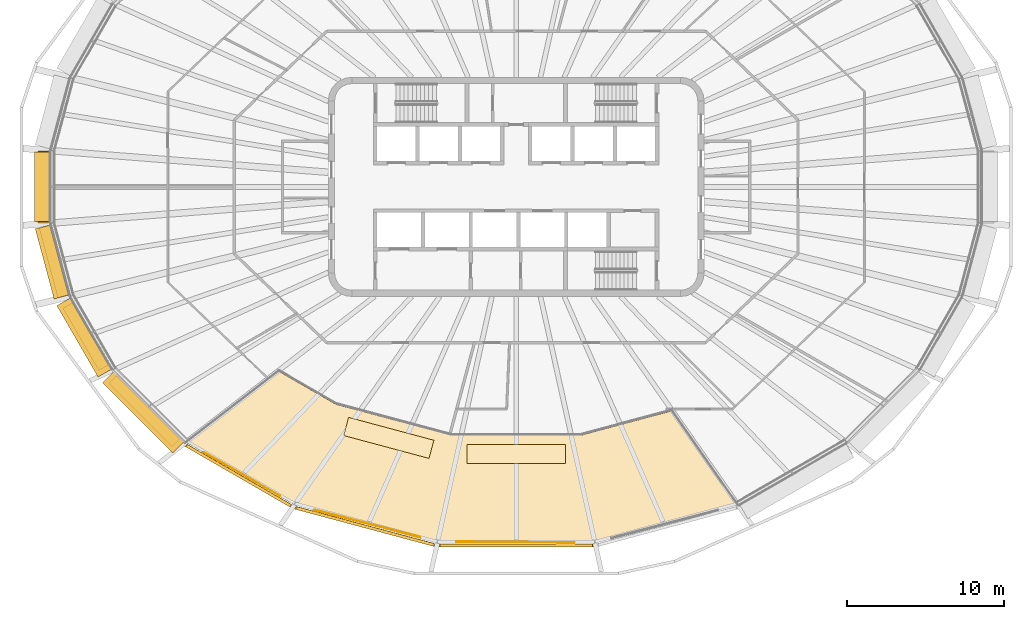
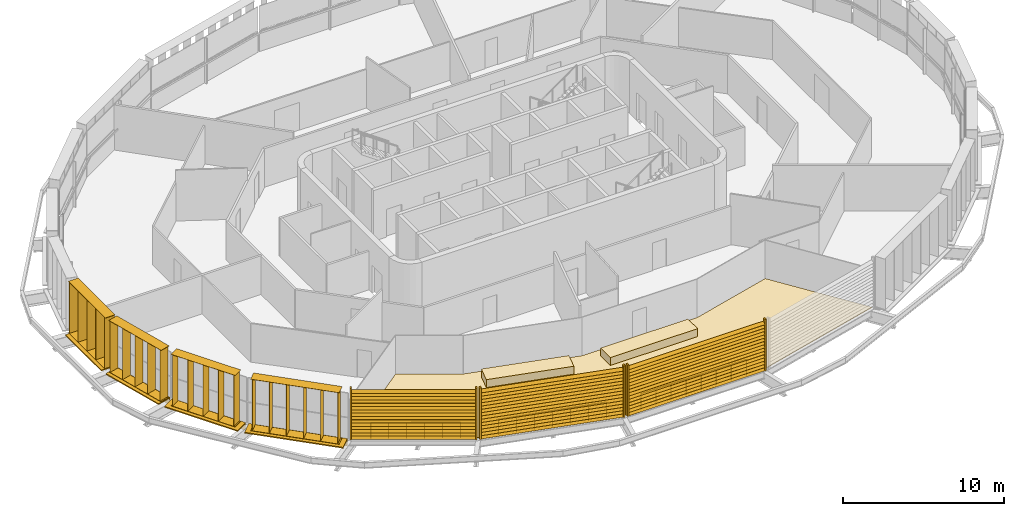
# One storey, part 16 of 20: 11 shading devices, 3 coverings, 3 railings.
"""IFC4 building model written with IfcOpenShell, lengths in metres."""

from ifc_helpers import new_model, si_unit, direction, frame, origin, origin_2d, place, context, subcontext, project, spatial, polyline, rectangle, circle, outline, extrude, material, layer, layer_set, type_object, element, save


model = new_model("IFC4")

# Units and contexts
model_context = context("Model", 3, precision=1e-05, world=origin(), true_north=direction((0.0, 1.0)))
body_context = subcontext(model_context, "Body", "Model", "MODEL_VIEW")
ifc_project = project(units=[si_unit("LENGTHUNIT", "METRE"), si_unit("AREAUNIT", "SQUARE_METRE"), si_unit("VOLUMEUNIT", "CUBIC_METRE"), si_unit("PLANEANGLEUNIT", "RADIAN"), si_unit("MASSUNIT", "GRAM", prefix="KILO")], contexts=[model_context])

# Site, building, storey
site_placement = place(None, origin())
site = spatial("IfcSite", under=ifc_project, at=site_placement, CompositionType="ELEMENT")
building_placement = place(site_placement, origin())
building = spatial("IfcBuilding", under=site, at=building_placement, Name="Sahrelin Media Tower", CompositionType="ELEMENT")
storey_placement = place(building_placement, frame((0.0, 0.0, 271.0)))
storey = spatial("IfcBuildingStorey", under=building, at=storey_placement, Name="L59", CompositionType="ELEMENT", Elevation=271.0)

# Shading devices
ifc_material_1 = material(Name="Champagne anodised aluminium 6063-T6", Category="aluminium")
shading_device_type_1 = type_object("IfcShadingDeviceType", Name="Fin cassette", PredefinedType="USERDEFINED", material=ifc_material_1)
placement_1 = place(storey_placement, frame((-29.7578125, 0.0, 0.0), z_axis=(0.0, 0.0, 1.0), x_axis=(0.0, 1.0, 0.0)))
element("IfcShadingDevice", 1, at=placement_1, inside=storey, type_object=shading_device_type_1, Name="L59:FIN:L59-12", ObjectType="FIN", PredefinedType="USERDEFINED", context=body_context, shape_type="SweptSolid", body=[
    extrude(rectangle(XDim=4.60009765625, YDim=0.699951171875, at=origin_2d()), frame((0.0, 0.419921875, 0.0)), (0.0, 0.0, 1.0), 0.02001953125),
    extrude(rectangle(XDim=4.60009765625, YDim=0.699951171875, at=origin_2d()), frame((0.0, 0.419921875, 3.89990234375)), (0.0, 0.0, 1.0), 0.02001953125),
    extrude(rectangle(XDim=0.02001953125, YDim=0.699951171875, at=origin_2d()), frame((-2.199951171875, 0.419921875, 0.010009765625), z_axis=(0.0, 0.0, 1.0), x_axis=(1.0, 0.0, 0.0)), (0.0, 0.0, 1.0), 3.89990234375),
    extrude(rectangle(XDim=0.02001953125, YDim=0.699951171875, at=origin_2d()), frame((-1.10009765625, 0.419921875, 0.010009765625), z_axis=(0.0, 0.0, 1.0), x_axis=(1.0, 0.0, 0.0)), (0.0, 0.0, 1.0), 3.89990234375),
    extrude(rectangle(XDim=0.02001953125, YDim=0.699951171875, at=origin_2d()), frame((0.0, 0.419921875, 0.010009765625), z_axis=(0.0, 0.0, 1.0), x_axis=(1.0, 0.0, 0.0)), (0.0, 0.0, 1.0), 3.89990234375),
    extrude(rectangle(XDim=0.02001953125, YDim=0.699951171875, at=origin_2d()), frame((1.10009765625, 0.419921875, 0.010009765625), z_axis=(0.0, 0.0, 1.0), x_axis=(1.0, 0.0, 0.0)), (0.0, 0.0, 1.0), 3.89990234375),
    extrude(rectangle(XDim=0.02001953125, YDim=0.699951171875, at=origin_2d()), frame((2.199951171875, 0.419921875, 0.010009765625), z_axis=(0.0, 0.0, 1.0), x_axis=(1.0, 0.0, 0.0)), (0.0, 0.0, 1.0), 3.89990234375),
])
placement_2 = place(storey_placement, frame((-29.1318359375, -4.65478515625, 0.0), z_axis=(0.0, 0.0, 1.0), x_axis=(-0.258807731996, 0.965928857556, 0.0)))
element("IfcShadingDevice", 2, at=placement_2, inside=storey, type_object=shading_device_type_1, Name="L59:FIN:L59-13", ObjectType="FIN", PredefinedType="USERDEFINED", context=body_context, shape_type="SweptSolid", body=[
    extrude(rectangle(XDim=4.60009765625, YDim=0.699951171875, at=origin_2d()), frame((0.0, 0.419921875, 0.0)), (0.0, 0.0, 1.0), 0.02001953125),
    extrude(rectangle(XDim=4.60009765625, YDim=0.699951171875, at=origin_2d()), frame((0.0, 0.419921875, 3.89990234375)), (0.0, 0.0, 1.0), 0.02001953125),
    extrude(rectangle(XDim=0.02001953125, YDim=0.699951171875, at=origin_2d()), frame((-2.199951171875, 0.419921875, 0.010009765625), z_axis=(0.0, 0.0, 1.0), x_axis=(1.0, 0.0, 0.0)), (0.0, 0.0, 1.0), 3.89990234375),
    extrude(rectangle(XDim=0.02001953125, YDim=0.699951171875, at=origin_2d()), frame((-1.10009765625, 0.419921875, 0.010009765625), z_axis=(0.0, 0.0, 1.0), x_axis=(1.0, 0.0, 0.0)), (0.0, 0.0, 1.0), 3.89990234375),
    extrude(rectangle(XDim=0.02001953125, YDim=0.699951171875, at=origin_2d()), frame((0.0, 0.419921875, 0.010009765625), z_axis=(0.0, 0.0, 1.0), x_axis=(1.0, 0.0, 0.0)), (0.0, 0.0, 1.0), 3.89990234375),
    extrude(rectangle(XDim=0.02001953125, YDim=0.699951171875, at=origin_2d()), frame((1.10009765625, 0.419921875, 0.010009765625), z_axis=(0.0, 0.0, 1.0), x_axis=(1.0, 0.0, 0.0)), (0.0, 0.0, 1.0), 3.89990234375),
    extrude(rectangle(XDim=0.02001953125, YDim=0.699951171875, at=origin_2d()), frame((2.199951171875, 0.419921875, 0.010009765625), z_axis=(0.0, 0.0, 1.0), x_axis=(1.0, 0.0, 0.0)), (0.0, 0.0, 1.0), 3.89990234375),
])
placement_3 = place(storey_placement, frame((-27.140869140625, -9.355224609375, 0.0), z_axis=(0.0, 0.0, 1.0), x_axis=(-0.500011000363, 0.866019052629, 0.0)))
element("IfcShadingDevice", 3, at=placement_3, inside=storey, type_object=shading_device_type_1, Name="L59:FIN:L59-14", ObjectType="FIN", PredefinedType="USERDEFINED", context=body_context, shape_type="SweptSolid", body=[
    extrude(rectangle(XDim=4.60009765625, YDim=0.699951171875, at=origin_2d()), frame((0.0, 0.419921875, 0.0)), (0.0, 0.0, 1.0), 0.02001953125),
    extrude(rectangle(XDim=4.60009765625, YDim=0.699951171875, at=origin_2d()), frame((0.0, 0.419921875, 3.89990234375)), (0.0, 0.0, 1.0), 0.02001953125),
    extrude(rectangle(XDim=0.02001953125, YDim=0.699951171875, at=origin_2d()), frame((-2.199951171875, 0.419921875, 0.010009765625), z_axis=(0.0, 0.0, 1.0), x_axis=(1.0, 0.0, 0.0)), (0.0, 0.0, 1.0), 3.89990234375),
    extrude(rectangle(XDim=0.02001953125, YDim=0.699951171875, at=origin_2d()), frame((-1.10009765625, 0.419921875, 0.010009765625), z_axis=(0.0, 0.0, 1.0), x_axis=(1.0, 0.0, 0.0)), (0.0, 0.0, 1.0), 3.89990234375),
    extrude(rectangle(XDim=0.02001953125, YDim=0.699951171875, at=origin_2d()), frame((0.0, 0.419921875, 0.010009765625), z_axis=(0.0, 0.0, 1.0), x_axis=(1.0, 0.0, 0.0)), (0.0, 0.0, 1.0), 3.89990234375),
    extrude(rectangle(XDim=0.02001953125, YDim=0.699951171875, at=origin_2d()), frame((1.10009765625, 0.419921875, 0.010009765625), z_axis=(0.0, 0.0, 1.0), x_axis=(1.0, 0.0, 0.0)), (0.0, 0.0, 1.0), 3.89990234375),
    extrude(rectangle(XDim=0.02001953125, YDim=0.699951171875, at=origin_2d()), frame((2.199951171875, 0.419921875, 0.010009765625), z_axis=(0.0, 0.0, 1.0), x_axis=(1.0, 0.0, 0.0)), (0.0, 0.0, 1.0), 3.89990234375),
])
placement_4 = place(storey_placement, frame((-23.461181640625, -14.0341796875, 0.0), z_axis=(0.0, 0.0, 1.0), x_axis=(-0.707106781187, 0.707106781187, 0.0)))
element("IfcShadingDevice", 4, at=placement_4, inside=storey, type_object=shading_device_type_1, Name="L59:FIN:L59-15", ObjectType="FIN", PredefinedType="USERDEFINED", context=body_context, shape_type="SweptSolid", body=[
    extrude(rectangle(XDim=5.699951171875, YDim=0.699951171875, at=origin_2d()), frame((0.0, 0.419921875, 0.0)), (0.0, 0.0, 1.0), 0.02001953125),
    extrude(rectangle(XDim=5.699951171875, YDim=0.699951171875, at=origin_2d()), frame((0.0, 0.419921875, 3.89990234375)), (0.0, 0.0, 1.0), 0.02001953125),
    extrude(rectangle(XDim=0.02001953125, YDim=0.699951171875, at=origin_2d()), frame((-2.75, 0.419921875, 0.010009765625), z_axis=(0.0, 0.0, 1.0), x_axis=(1.0, 0.0, 0.0)), (0.0, 0.0, 1.0), 3.89990234375),
    extrude(rectangle(XDim=0.02001953125, YDim=0.699951171875, at=origin_2d()), frame((-1.64990234375, 0.419921875, 0.010009765625), z_axis=(0.0, 0.0, 1.0), x_axis=(1.0, 0.0, 0.0)), (0.0, 0.0, 1.0), 3.89990234375),
    extrude(rectangle(XDim=0.02001953125, YDim=0.699951171875, at=origin_2d()), frame((-0.550048828125, 0.419921875, 0.010009765625), z_axis=(0.0, 0.0, 1.0), x_axis=(1.0, 0.0, 0.0)), (0.0, 0.0, 1.0), 3.89990234375),
    extrude(rectangle(XDim=0.02001953125, YDim=0.699951171875, at=origin_2d()), frame((0.550048828125, 0.419921875, 0.010009765625), z_axis=(0.0, 0.0, 1.0), x_axis=(1.0, 0.0, 0.0)), (0.0, 0.0, 1.0), 3.89990234375),
    extrude(rectangle(XDim=0.02001953125, YDim=0.699951171875, at=origin_2d()), frame((1.64990234375, 0.419921875, 0.010009765625), z_axis=(0.0, 0.0, 1.0), x_axis=(1.0, 0.0, 0.0)), (0.0, 0.0, 1.0), 3.89990234375),
    extrude(rectangle(XDim=0.02001953125, YDim=0.699951171875, at=origin_2d()), frame((2.75, 0.419921875, 0.010009765625), z_axis=(0.0, 0.0, 1.0), x_axis=(1.0, 0.0, 0.0)), (0.0, 0.0, 1.0), 3.89990234375),
])

# Covering
ifc_material_2 = material(Name="Stone paving", Category="masonry")
ifc_layer = layer(ifc_material_2, 0.0400390625)
ifc_layer_set = layer_set([ifc_layer], Name="Garden paving")
covering_type_1 = type_object("IfcCoveringType", Name="Garden paving", PredefinedType="FLOORING", material=ifc_layer_set)
covering_1_placement = place(storey_placement, origin())
element("IfcCovering", 5, at=covering_1_placement, inside=storey, type_object=covering_type_1, Name="Garden paving G5", PredefinedType="FLOORING", context=body_context, shape_type="SweptSolid", body=[
    extrude(outline(polyline([(-5.04443359375, -22.76171875), (-14.17822265625, -20.314208984375), (-21.056884765625, -16.343017578125), (-15.1572265625, -11.78173828125), (-11.514892578125, -13.884521484375), (-4.135986328125, -15.86181640625), (4.135986328125, -15.86181640625), (9.9189453125, -14.31201171875), (14.11572265625, -20.330810546875), (5.04443359375, -22.76171875), (-5.04443359375, -22.76171875)])), origin(), (0.0, 0.0, 1.0), 0.0400390625),
])

# Shading devices
shading_device_type_2 = type_object("IfcShadingDeviceType", Name="Garden screen", PredefinedType="USERDEFINED", material=ifc_material_1)
shading_device_5_placement = place(storey_placement, frame((-17.672119140625, -18.35498046875, 0.0), z_axis=(0.0, 0.0, 1.0), x_axis=(-0.866019052629, 0.500011000363, 0.0)))
element("IfcShadingDevice", 6, at=shading_device_5_placement, inside=storey, type_object=shading_device_type_2, Name="L59:SCREEN:L59-16", ObjectType="SCREEN", PredefinedType="USERDEFINED", context=body_context, shape_type="SweptSolid", body=[
    extrude(rectangle(XDim=0.1201171875, YDim=0.199951171875, at=origin_2d()), frame((3.90185546875, 0.10009765625, 0.050048828125), z_axis=(0.0, 0.0, 1.0), x_axis=(1.0, 0.0, 0.0)), (0.0, 0.0, 1.0), 3.89990234375),
    extrude(rectangle(XDim=0.1201171875, YDim=0.199951171875, at=origin_2d()), frame((-3.90185546875, 0.10009765625, 0.050048828125), z_axis=(0.0, 0.0, 1.0), x_axis=(1.0, 0.0, 0.0)), (0.0, 0.0, 1.0), 3.89990234375),
    extrude(rectangle(XDim=0.25, YDim=0.02001953125, at=origin_2d()), frame((3.841796875, 0.10009765625, 0.14990234375), z_axis=(-1.0, 0.0, 0.0), x_axis=(0.0, -0.766044443119, 0.642787609687)), (0.0, 0.0, 1.0), 7.68359375),
    extrude(rectangle(XDim=0.25, YDim=0.02001953125, at=origin_2d()), frame((3.841796875, 0.10009765625, 0.39990234375), z_axis=(-1.0, 0.0, 0.0), x_axis=(0.0, -0.766044443119, 0.642787609687)), (0.0, 0.0, 1.0), 7.68359375),
    extrude(rectangle(XDim=0.25, YDim=0.02001953125, at=origin_2d()), frame((3.841796875, 0.10009765625, 0.64990234375), z_axis=(-1.0, 0.0, 0.0), x_axis=(0.0, -0.766044443119, 0.642787609687)), (0.0, 0.0, 1.0), 7.68359375),
    extrude(rectangle(XDim=0.25, YDim=0.02001953125, at=origin_2d()), frame((3.841796875, 0.10009765625, 0.89990234375), z_axis=(-1.0, 0.0, 0.0), x_axis=(0.0, -0.766044443119, 0.642787609687)), (0.0, 0.0, 1.0), 7.68359375),
    extrude(rectangle(XDim=0.25, YDim=0.02001953125, at=origin_2d()), frame((3.841796875, 0.10009765625, 1.14990234375), z_axis=(-1.0, 0.0, 0.0), x_axis=(0.0, -0.766044443119, 0.642787609687)), (0.0, 0.0, 1.0), 7.68359375),
    extrude(rectangle(XDim=0.25, YDim=0.02001953125, at=origin_2d()), frame((3.841796875, 0.10009765625, 1.39990234375), z_axis=(-1.0, 0.0, 0.0), x_axis=(0.0, -0.766044443119, 0.642787609687)), (0.0, 0.0, 1.0), 7.68359375),
    extrude(rectangle(XDim=0.25, YDim=0.02001953125, at=origin_2d()), frame((3.841796875, 0.10009765625, 1.64990234375), z_axis=(-1.0, 0.0, 0.0), x_axis=(0.0, -0.766044443119, 0.642787609687)), (0.0, 0.0, 1.0), 7.68359375),
    extrude(rectangle(XDim=0.25, YDim=0.02001953125, at=origin_2d()), frame((3.841796875, 0.10009765625, 1.89990234375), z_axis=(-1.0, 0.0, 0.0), x_axis=(0.0, -0.766044443119, 0.642787609687)), (0.0, 0.0, 1.0), 7.68359375),
    extrude(rectangle(XDim=0.25, YDim=0.02001953125, at=origin_2d()), frame((3.841796875, 0.10009765625, 2.14990234375), z_axis=(-1.0, 0.0, 0.0), x_axis=(0.0, -0.766044443119, 0.642787609687)), (0.0, 0.0, 1.0), 7.68359375),
    extrude(rectangle(XDim=0.25, YDim=0.02001953125, at=origin_2d()), frame((3.841796875, 0.10009765625, 2.39990234375), z_axis=(-1.0, 0.0, 0.0), x_axis=(0.0, -0.766044443119, 0.642787609687)), (0.0, 0.0, 1.0), 7.68359375),
    extrude(rectangle(XDim=0.25, YDim=0.02001953125, at=origin_2d()), frame((3.841796875, 0.10009765625, 2.64990234375), z_axis=(-1.0, 0.0, 0.0), x_axis=(0.0, -0.766044443119, 0.642787609687)), (0.0, 0.0, 1.0), 7.68359375),
    extrude(rectangle(XDim=0.25, YDim=0.02001953125, at=origin_2d()), frame((3.841796875, 0.10009765625, 2.89990234375), z_axis=(-1.0, 0.0, 0.0), x_axis=(0.0, -0.766044443119, 0.642787609687)), (0.0, 0.0, 1.0), 7.68359375),
    extrude(rectangle(XDim=0.25, YDim=0.02001953125, at=origin_2d()), frame((3.841796875, 0.10009765625, 3.14990234375), z_axis=(-1.0, 0.0, 0.0), x_axis=(0.0, -0.766044443119, 0.642787609687)), (0.0, 0.0, 1.0), 7.68359375),
    extrude(rectangle(XDim=0.25, YDim=0.02001953125, at=origin_2d()), frame((3.841796875, 0.10009765625, 3.39990234375), z_axis=(-1.0, 0.0, 0.0), x_axis=(0.0, -0.766044443119, 0.642787609687)), (0.0, 0.0, 1.0), 7.68359375),
    extrude(rectangle(XDim=0.25, YDim=0.02001953125, at=origin_2d()), frame((3.841796875, 0.10009765625, 3.64990234375), z_axis=(-1.0, 0.0, 0.0), x_axis=(0.0, -0.766044443119, 0.642787609687)), (0.0, 0.0, 1.0), 7.68359375),
])
shading_device_6_placement = place(storey_placement, frame((-9.624267578125, -21.586181640625, 0.0), z_axis=(0.0, 0.0, 1.0), x_axis=(-0.965928857556, 0.258807731996, 0.0)))
element("IfcShadingDevice", 7, at=shading_device_6_placement, inside=storey, type_object=shading_device_type_2, Name="L59:SCREEN:L59-17", ObjectType="SCREEN", PredefinedType="USERDEFINED", context=body_context, shape_type="SweptSolid", body=[
    extrude(rectangle(XDim=0.1201171875, YDim=0.199951171875, at=origin_2d()), frame((4.62451171875, 0.10009765625, 0.050048828125), z_axis=(0.0, 0.0, 1.0), x_axis=(1.0, 0.0, 0.0)), (0.0, 0.0, 1.0), 3.89990234375),
    extrude(rectangle(XDim=0.1201171875, YDim=0.199951171875, at=origin_2d()), frame((-4.62451171875, 0.10009765625, 0.050048828125), z_axis=(0.0, 0.0, 1.0), x_axis=(1.0, 0.0, 0.0)), (0.0, 0.0, 1.0), 3.89990234375),
    extrude(rectangle(XDim=0.25, YDim=0.02001953125, at=origin_2d()), frame((4.564697265625, 0.10009765625, 0.14990234375), z_axis=(-1.0, 0.0, 0.0), x_axis=(0.0, -0.766044443119, 0.642787609687)), (0.0, 0.0, 1.0), 9.12939453125),
    extrude(rectangle(XDim=0.25, YDim=0.02001953125, at=origin_2d()), frame((4.564697265625, 0.10009765625, 0.39990234375), z_axis=(-1.0, 0.0, 0.0), x_axis=(0.0, -0.766044443119, 0.642787609687)), (0.0, 0.0, 1.0), 9.12939453125),
    extrude(rectangle(XDim=0.25, YDim=0.02001953125, at=origin_2d()), frame((4.564697265625, 0.10009765625, 0.64990234375), z_axis=(-1.0, 0.0, 0.0), x_axis=(0.0, -0.766044443119, 0.642787609687)), (0.0, 0.0, 1.0), 9.12939453125),
    extrude(rectangle(XDim=0.25, YDim=0.02001953125, at=origin_2d()), frame((4.564697265625, 0.10009765625, 0.89990234375), z_axis=(-1.0, 0.0, 0.0), x_axis=(0.0, -0.766044443119, 0.642787609687)), (0.0, 0.0, 1.0), 9.12939453125),
    extrude(rectangle(XDim=0.25, YDim=0.02001953125, at=origin_2d()), frame((4.564697265625, 0.10009765625, 1.14990234375), z_axis=(-1.0, 0.0, 0.0), x_axis=(0.0, -0.766044443119, 0.642787609687)), (0.0, 0.0, 1.0), 9.12939453125),
    extrude(rectangle(XDim=0.25, YDim=0.02001953125, at=origin_2d()), frame((4.564697265625, 0.10009765625, 1.39990234375), z_axis=(-1.0, 0.0, 0.0), x_axis=(0.0, -0.766044443119, 0.642787609687)), (0.0, 0.0, 1.0), 9.12939453125),
    extrude(rectangle(XDim=0.25, YDim=0.02001953125, at=origin_2d()), frame((4.564697265625, 0.10009765625, 1.64990234375), z_axis=(-1.0, 0.0, 0.0), x_axis=(0.0, -0.766044443119, 0.642787609687)), (0.0, 0.0, 1.0), 9.12939453125),
    extrude(rectangle(XDim=0.25, YDim=0.02001953125, at=origin_2d()), frame((4.564697265625, 0.10009765625, 1.89990234375), z_axis=(-1.0, 0.0, 0.0), x_axis=(0.0, -0.766044443119, 0.642787609687)), (0.0, 0.0, 1.0), 9.12939453125),
    extrude(rectangle(XDim=0.25, YDim=0.02001953125, at=origin_2d()), frame((4.564697265625, 0.10009765625, 2.14990234375), z_axis=(-1.0, 0.0, 0.0), x_axis=(0.0, -0.766044443119, 0.642787609687)), (0.0, 0.0, 1.0), 9.12939453125),
    extrude(rectangle(XDim=0.25, YDim=0.02001953125, at=origin_2d()), frame((4.564697265625, 0.10009765625, 2.39990234375), z_axis=(-1.0, 0.0, 0.0), x_axis=(0.0, -0.766044443119, 0.642787609687)), (0.0, 0.0, 1.0), 9.12939453125),
    extrude(rectangle(XDim=0.25, YDim=0.02001953125, at=origin_2d()), frame((4.564697265625, 0.10009765625, 2.64990234375), z_axis=(-1.0, 0.0, 0.0), x_axis=(0.0, -0.766044443119, 0.642787609687)), (0.0, 0.0, 1.0), 9.12939453125),
    extrude(rectangle(XDim=0.25, YDim=0.02001953125, at=origin_2d()), frame((4.564697265625, 0.10009765625, 2.89990234375), z_axis=(-1.0, 0.0, 0.0), x_axis=(0.0, -0.766044443119, 0.642787609687)), (0.0, 0.0, 1.0), 9.12939453125),
    extrude(rectangle(XDim=0.25, YDim=0.02001953125, at=origin_2d()), frame((4.564697265625, 0.10009765625, 3.14990234375), z_axis=(-1.0, 0.0, 0.0), x_axis=(0.0, -0.766044443119, 0.642787609687)), (0.0, 0.0, 1.0), 9.12939453125),
    extrude(rectangle(XDim=0.25, YDim=0.02001953125, at=origin_2d()), frame((4.564697265625, 0.10009765625, 3.39990234375), z_axis=(-1.0, 0.0, 0.0), x_axis=(0.0, -0.766044443119, 0.642787609687)), (0.0, 0.0, 1.0), 9.12939453125),
    extrude(rectangle(XDim=0.25, YDim=0.02001953125, at=origin_2d()), frame((4.564697265625, 0.10009765625, 3.64990234375), z_axis=(-1.0, 0.0, 0.0), x_axis=(0.0, -0.766044443119, 0.642787609687)), (0.0, 0.0, 1.0), 9.12939453125),
])
shading_device_7_placement = place(storey_placement, frame((0.0, -22.811767578125, 0.0), z_axis=(0.0, 0.0, 1.0), x_axis=(-1.0, 0.0, 0.0)))
element("IfcShadingDevice", 8, at=shading_device_7_placement, inside=storey, type_object=shading_device_type_2, Name="L59:SCREEN:L59-18", ObjectType="SCREEN", PredefinedType="USERDEFINED", context=body_context, shape_type="SweptSolid", body=[
    extrude(rectangle(XDim=0.1201171875, YDim=0.199951171875, at=origin_2d()), frame((4.94091796875, 0.10009765625, 0.050048828125), z_axis=(0.0, 0.0, 1.0), x_axis=(1.0, 0.0, 0.0)), (0.0, 0.0, 1.0), 3.89990234375),
    extrude(rectangle(XDim=0.1201171875, YDim=0.199951171875, at=origin_2d()), frame((-4.94091796875, 0.10009765625, 0.050048828125), z_axis=(0.0, 0.0, 1.0), x_axis=(1.0, 0.0, 0.0)), (0.0, 0.0, 1.0), 3.89990234375),
    extrude(rectangle(XDim=0.25, YDim=0.02001953125, at=origin_2d()), frame((4.881103515625, 0.10009765625, 0.14990234375), z_axis=(-1.0, 0.0, 0.0), x_axis=(0.0, -0.766044443119, 0.642787609687)), (0.0, 0.0, 1.0), 9.76220703125),
    extrude(rectangle(XDim=0.25, YDim=0.02001953125, at=origin_2d()), frame((4.881103515625, 0.10009765625, 0.39990234375), z_axis=(-1.0, 0.0, 0.0), x_axis=(0.0, -0.766044443119, 0.642787609687)), (0.0, 0.0, 1.0), 9.76220703125),
    extrude(rectangle(XDim=0.25, YDim=0.02001953125, at=origin_2d()), frame((4.881103515625, 0.10009765625, 0.64990234375), z_axis=(-1.0, 0.0, 0.0), x_axis=(0.0, -0.766044443119, 0.642787609687)), (0.0, 0.0, 1.0), 9.76220703125),
    extrude(rectangle(XDim=0.25, YDim=0.02001953125, at=origin_2d()), frame((4.881103515625, 0.10009765625, 0.89990234375), z_axis=(-1.0, 0.0, 0.0), x_axis=(0.0, -0.766044443119, 0.642787609687)), (0.0, 0.0, 1.0), 9.76220703125),
    extrude(rectangle(XDim=0.25, YDim=0.02001953125, at=origin_2d()), frame((4.881103515625, 0.10009765625, 1.14990234375), z_axis=(-1.0, 0.0, 0.0), x_axis=(0.0, -0.766044443119, 0.642787609687)), (0.0, 0.0, 1.0), 9.76220703125),
    extrude(rectangle(XDim=0.25, YDim=0.02001953125, at=origin_2d()), frame((4.881103515625, 0.10009765625, 1.39990234375), z_axis=(-1.0, 0.0, 0.0), x_axis=(0.0, -0.766044443119, 0.642787609687)), (0.0, 0.0, 1.0), 9.76220703125),
    extrude(rectangle(XDim=0.25, YDim=0.02001953125, at=origin_2d()), frame((4.881103515625, 0.10009765625, 1.64990234375), z_axis=(-1.0, 0.0, 0.0), x_axis=(0.0, -0.766044443119, 0.642787609687)), (0.0, 0.0, 1.0), 9.76220703125),
    extrude(rectangle(XDim=0.25, YDim=0.02001953125, at=origin_2d()), frame((4.881103515625, 0.10009765625, 1.89990234375), z_axis=(-1.0, 0.0, 0.0), x_axis=(0.0, -0.766044443119, 0.642787609687)), (0.0, 0.0, 1.0), 9.76220703125),
    extrude(rectangle(XDim=0.25, YDim=0.02001953125, at=origin_2d()), frame((4.881103515625, 0.10009765625, 2.14990234375), z_axis=(-1.0, 0.0, 0.0), x_axis=(0.0, -0.766044443119, 0.642787609687)), (0.0, 0.0, 1.0), 9.76220703125),
    extrude(rectangle(XDim=0.25, YDim=0.02001953125, at=origin_2d()), frame((4.881103515625, 0.10009765625, 2.39990234375), z_axis=(-1.0, 0.0, 0.0), x_axis=(0.0, -0.766044443119, 0.642787609687)), (0.0, 0.0, 1.0), 9.76220703125),
    extrude(rectangle(XDim=0.25, YDim=0.02001953125, at=origin_2d()), frame((4.881103515625, 0.10009765625, 2.64990234375), z_axis=(-1.0, 0.0, 0.0), x_axis=(0.0, -0.766044443119, 0.642787609687)), (0.0, 0.0, 1.0), 9.76220703125),
    extrude(rectangle(XDim=0.25, YDim=0.02001953125, at=origin_2d()), frame((4.881103515625, 0.10009765625, 2.89990234375), z_axis=(-1.0, 0.0, 0.0), x_axis=(0.0, -0.766044443119, 0.642787609687)), (0.0, 0.0, 1.0), 9.76220703125),
    extrude(rectangle(XDim=0.25, YDim=0.02001953125, at=origin_2d()), frame((4.881103515625, 0.10009765625, 3.14990234375), z_axis=(-1.0, 0.0, 0.0), x_axis=(0.0, -0.766044443119, 0.642787609687)), (0.0, 0.0, 1.0), 9.76220703125),
    extrude(rectangle(XDim=0.25, YDim=0.02001953125, at=origin_2d()), frame((4.881103515625, 0.10009765625, 3.39990234375), z_axis=(-1.0, 0.0, 0.0), x_axis=(0.0, -0.766044443119, 0.642787609687)), (0.0, 0.0, 1.0), 9.76220703125),
    extrude(rectangle(XDim=0.25, YDim=0.02001953125, at=origin_2d()), frame((4.881103515625, 0.10009765625, 3.64990234375), z_axis=(-1.0, 0.0, 0.0), x_axis=(0.0, -0.766044443119, 0.642787609687)), (0.0, 0.0, 1.0), 9.76220703125),
])

# Railings
ifc_material_3 = material(Name="Stainless steel 316", Category="steel")
railing_type = type_object("IfcRailingType", Name="Sky garden guard", PredefinedType="GUARDRAIL", material=ifc_material_3)
railing_1_placement = place(storey_placement, frame((-19.94482421875, -16.967529296875, 0.0)))
element("IfcRailing", 9, at=railing_1_placement, inside=storey, type_object=railing_type, Name="Sky garden guard G5-1", PredefinedType="GUARDRAIL", context=body_context, shape_type="SweptSolid", body=[
    extrude(circle(Radius=0.02392578125, at=origin_2d()), frame((0.0, 0.0, 1.17578125), z_axis=(0.868332003851, -0.495983397996, 0.0), x_axis=(0.495983397996, 0.868332003851, 0.0)), (0.0, 0.0, 1.0), 5.57861328125),
    extrude(circle(Radius=0.02099609375, at=origin_2d()), origin(), (0.0, 0.0, 1.0), 1.15185546875),
    extrude(circle(Radius=0.02099609375, at=origin_2d()), frame((0.96875, -0.553466796875, 0.0)), (0.0, 0.0, 1.0), 1.15185546875),
    extrude(circle(Radius=0.02099609375, at=origin_2d()), frame((1.9375, -1.106689453125, 0.0)), (0.0, 0.0, 1.0), 1.15185546875),
    extrude(circle(Radius=0.02099609375, at=origin_2d()), frame((2.906494140625, -1.66015625, 0.0)), (0.0, 0.0, 1.0), 1.15185546875),
    extrude(circle(Radius=0.02099609375, at=origin_2d()), frame((3.875244140625, -2.21337890625, 0.0)), (0.0, 0.0, 1.0), 1.15185546875),
    extrude(circle(Radius=0.02099609375, at=origin_2d()), frame((4.843994140625, -2.766845703125, 0.0)), (0.0, 0.0, 1.0), 1.15185546875),
])
railing_2_placement = place(storey_placement, frame((-12.87890625, -20.638427734375, 0.0)))
element("IfcRailing", 10, at=railing_2_placement, inside=storey, type_object=railing_type, Name="Sky garden guard G5-2", PredefinedType="GUARDRAIL", context=body_context, shape_type="SweptSolid", body=[
    extrude(circle(Radius=0.02392578125, at=origin_2d()), frame((0.0, 0.0, 1.17578125), z_axis=(0.968434873718, -0.249266715322, 0.0), x_axis=(0.249266715322, 0.968434873718, 0.0)), (0.0, 0.0, 1.0), 6.9580078125),
    extrude(circle(Radius=0.02099609375, at=origin_2d()), origin(), (0.0, 0.0, 1.0), 1.15185546875),
    extrude(circle(Radius=0.02099609375, at=origin_2d()), frame((1.123046875, -0.2890625, 0.0)), (0.0, 0.0, 1.0), 1.15185546875),
    extrude(circle(Radius=0.02099609375, at=origin_2d()), frame((2.24609375, -0.578125, 0.0)), (0.0, 0.0, 1.0), 1.15185546875),
    extrude(circle(Radius=0.02099609375, at=origin_2d()), frame((3.369140625, -0.8671875, 0.0)), (0.0, 0.0, 1.0), 1.15185546875),
    extrude(circle(Radius=0.02099609375, at=origin_2d()), frame((4.4921875, -1.15625, 0.0)), (0.0, 0.0, 1.0), 1.15185546875),
    extrude(circle(Radius=0.02099609375, at=origin_2d()), frame((5.615234375, -1.4453125, 0.0)), (0.0, 0.0, 1.0), 1.15185546875),
    extrude(circle(Radius=0.02099609375, at=origin_2d()), frame((6.73828125, -1.734375, 0.0)), (0.0, 0.0, 1.0), 1.15185546875),
])
railing_3_placement = place(storey_placement, frame((-3.8154296875, -22.66259765625, 0.0)))
element("IfcRailing", 11, at=railing_3_placement, inside=storey, type_object=railing_type, Name="Sky garden guard G5-3", PredefinedType="GUARDRAIL", context=body_context, shape_type="SweptSolid", body=[
    extrude(circle(Radius=0.02392578125, at=origin_2d()), frame((0.0, 0.0, 1.17578125), z_axis=(0.999958685612, -0.00908994325, 0.0), x_axis=(0.00908994325, 0.999958685612, 0.0)), (0.0, 0.0, 1.0), 7.520263671875),
    extrude(circle(Radius=0.02099609375, at=origin_2d()), origin(), (0.0, 0.0, 1.0), 1.15185546875),
    extrude(circle(Radius=0.02099609375, at=origin_2d()), frame((1.07421875, -0.009765625, 0.0)), (0.0, 0.0, 1.0), 1.15185546875),
    extrude(circle(Radius=0.02099609375, at=origin_2d()), frame((2.148681640625, -0.01953125, 0.0)), (0.0, 0.0, 1.0), 1.15185546875),
    extrude(circle(Radius=0.02099609375, at=origin_2d()), frame((3.222900390625, -0.029296875, 0.0)), (0.0, 0.0, 1.0), 1.15185546875),
    extrude(circle(Radius=0.02099609375, at=origin_2d()), frame((4.297119140625, -0.0390625, 0.0)), (0.0, 0.0, 1.0), 1.15185546875),
    extrude(circle(Radius=0.02099609375, at=origin_2d()), frame((5.371337890625, -0.048828125, 0.0)), (0.0, 0.0, 1.0), 1.15185546875),
    extrude(circle(Radius=0.02099609375, at=origin_2d()), frame((6.44580078125, -0.05859375, 0.0)), (0.0, 0.0, 1.0), 1.15185546875),
    extrude(circle(Radius=0.02099609375, at=origin_2d()), frame((7.52001953125, -0.068359375, 0.0)), (0.0, 0.0, 1.0), 1.15185546875),
])

# Coverings
ifc_material_4 = material(Name="Planting and soil")
covering_type_2 = type_object("IfcCoveringType", Name="Sky garden planter", PredefinedType="USERDEFINED", material=ifc_material_4)
covering_2_placement = place(storey_placement, frame((0.0, -17.061767578125, 0.0400390625), z_axis=(0.0, 0.0, 1.0), x_axis=(1.0, 0.0, 0.0)))
element("IfcCovering", 12, at=covering_2_placement, inside=storey, type_object=covering_type_2, Name="Sky garden planter G5-1", ObjectType="PLANTER", PredefinedType="USERDEFINED", context=body_context, shape_type="SweptSolid", body=[
    extrude(rectangle(XDim=6.27197265625, YDim=1.199951171875, at=origin_2d()), origin(), (0.0, 0.0, 1.0), 0.60009765625),
])
covering_3_placement = place(storey_placement, frame((-8.135986328125, -16.0322265625, 0.0400390625), z_axis=(0.0, 0.0, 1.0), x_axis=(0.965922664146, -0.258830846093, 0.0)))
element("IfcCovering", 13, at=covering_3_placement, inside=storey, type_object=covering_type_2, Name="Sky garden planter G5-2", ObjectType="PLANTER", PredefinedType="USERDEFINED", context=body_context, shape_type="SweptSolid", body=[
    extrude(rectangle(XDim=5.639404296875, YDim=1.199951171875, at=origin_2d()), origin(), (0.0, 0.0, 1.0), 0.60009765625),
])

# Shading devices
shading_device_type_3 = type_object("IfcShadingDeviceType", Name="Sunshade band", PredefinedType="USERDEFINED", material=ifc_material_1)
element("IfcShadingDevice", 14, at=placement_1, inside=storey, type_object=shading_device_type_3, Name="L59:SUN:L59-12", ObjectType="SUNSHADE", PredefinedType="USERDEFINED", context=body_context, shape_type="SweptSolid", body=[
    extrude(rectangle(XDim=4.437255859375, YDim=0.050048828125, at=origin_2d()), frame((0.0, 0.044921875, -0.55126953125)), (0.0, 0.0, 1.0), 0.471435546875),
    extrude(rectangle(XDim=4.437255859375, YDim=1.0, at=origin_2d()), frame((0.0, 0.52001953125, -0.080078125)), (0.0, 0.0, 1.0), 0.080078125),
    extrude(rectangle(XDim=0.10009765625, YDim=0.074951171875, at=origin_2d()), frame((-2.11865234375, -0.017578125, -0.47021484375)), (0.0, 0.0, 1.0), 0.300048828125),
    extrude(rectangle(XDim=0.10009765625, YDim=0.074951171875, at=origin_2d()), frame((-0.706298828125, -0.017578125, -0.47021484375)), (0.0, 0.0, 1.0), 0.300048828125),
    extrude(rectangle(XDim=0.10009765625, YDim=0.074951171875, at=origin_2d()), frame((0.706298828125, -0.017578125, -0.47021484375)), (0.0, 0.0, 1.0), 0.300048828125),
    extrude(rectangle(XDim=0.10009765625, YDim=0.074951171875, at=origin_2d()), frame((2.11865234375, -0.017578125, -0.47021484375)), (0.0, 0.0, 1.0), 0.300048828125),
])
element("IfcShadingDevice", 15, at=placement_2, inside=storey, type_object=shading_device_type_3, Name="L59:SUN:L59-13", ObjectType="SUNSHADE", PredefinedType="USERDEFINED", context=body_context, shape_type="SweptSolid", body=[
    extrude(rectangle(XDim=4.636962890625, YDim=0.050048828125, at=origin_2d()), frame((0.0, 0.044921875, -0.55126953125)), (0.0, 0.0, 1.0), 0.471435546875),
    extrude(rectangle(XDim=4.636962890625, YDim=1.0, at=origin_2d()), frame((0.0, 0.52001953125, -0.080078125)), (0.0, 0.0, 1.0), 0.080078125),
    extrude(rectangle(XDim=0.10009765625, YDim=0.074951171875, at=origin_2d()), frame((-2.218505859375, -0.017578125, -0.47021484375)), (0.0, 0.0, 1.0), 0.300048828125),
    extrude(rectangle(XDim=0.10009765625, YDim=0.074951171875, at=origin_2d()), frame((-0.739501953125, -0.017578125, -0.47021484375)), (0.0, 0.0, 1.0), 0.300048828125),
    extrude(rectangle(XDim=0.10009765625, YDim=0.074951171875, at=origin_2d()), frame((0.739501953125, -0.017578125, -0.47021484375)), (0.0, 0.0, 1.0), 0.300048828125),
    extrude(rectangle(XDim=0.10009765625, YDim=0.074951171875, at=origin_2d()), frame((2.218505859375, -0.017578125, -0.47021484375)), (0.0, 0.0, 1.0), 0.300048828125),
])
element("IfcShadingDevice", 16, at=placement_3, inside=storey, type_object=shading_device_type_3, Name="L59:SUN:L59-14", ObjectType="SUNSHADE", PredefinedType="USERDEFINED", context=body_context, shape_type="SweptSolid", body=[
    extrude(rectangle(XDim=5.26025390625, YDim=0.050048828125, at=origin_2d()), frame((0.0, 0.044921875, -0.55126953125)), (0.0, 0.0, 1.0), 0.471435546875),
    extrude(rectangle(XDim=5.26025390625, YDim=1.0, at=origin_2d()), frame((0.0, 0.52001953125, -0.080078125)), (0.0, 0.0, 1.0), 0.080078125),
    extrude(rectangle(XDim=0.10009765625, YDim=0.074951171875, at=origin_2d()), frame((-2.5302734375, -0.017578125, -0.47021484375)), (0.0, 0.0, 1.0), 0.300048828125),
    extrude(rectangle(XDim=0.10009765625, YDim=0.074951171875, at=origin_2d()), frame((-0.843505859375, -0.017578125, -0.47021484375)), (0.0, 0.0, 1.0), 0.300048828125),
    extrude(rectangle(XDim=0.10009765625, YDim=0.074951171875, at=origin_2d()), frame((0.843505859375, -0.017578125, -0.47021484375)), (0.0, 0.0, 1.0), 0.300048828125),
    extrude(rectangle(XDim=0.10009765625, YDim=0.074951171875, at=origin_2d()), frame((2.5302734375, -0.017578125, -0.47021484375)), (0.0, 0.0, 1.0), 0.300048828125),
])
element("IfcShadingDevice", 17, at=placement_4, inside=storey, type_object=shading_device_type_3, Name="L59:SUN:L59-15", ObjectType="SUNSHADE", PredefinedType="USERDEFINED", context=body_context, shape_type="SweptSolid", body=[
    extrude(rectangle(XDim=6.346923828125, YDim=0.050048828125, at=origin_2d()), frame((0.0, 0.044921875, -0.55126953125)), (0.0, 0.0, 1.0), 0.471435546875),
    extrude(rectangle(XDim=6.346923828125, YDim=1.0, at=origin_2d()), frame((0.0, 0.52001953125, -0.080078125)), (0.0, 0.0, 1.0), 0.080078125),
    extrude(rectangle(XDim=0.10009765625, YDim=0.074951171875, at=origin_2d()), frame((-3.073486328125, -0.017578125, -0.47021484375)), (0.0, 0.0, 1.0), 0.300048828125),
    extrude(rectangle(XDim=0.10009765625, YDim=0.074951171875, at=origin_2d()), frame((-1.53662109375, -0.017578125, -0.47021484375)), (0.0, 0.0, 1.0), 0.300048828125),
    extrude(rectangle(XDim=0.10009765625, YDim=0.074951171875, at=origin_2d()), frame((0.0, -0.017578125, -0.47021484375)), (0.0, 0.0, 1.0), 0.300048828125),
    extrude(rectangle(XDim=0.10009765625, YDim=0.074951171875, at=origin_2d()), frame((1.53662109375, -0.017578125, -0.47021484375)), (0.0, 0.0, 1.0), 0.300048828125),
    extrude(rectangle(XDim=0.10009765625, YDim=0.074951171875, at=origin_2d()), frame((3.073486328125, -0.017578125, -0.47021484375)), (0.0, 0.0, 1.0), 0.300048828125),
])

save(model, "model.ifc")
